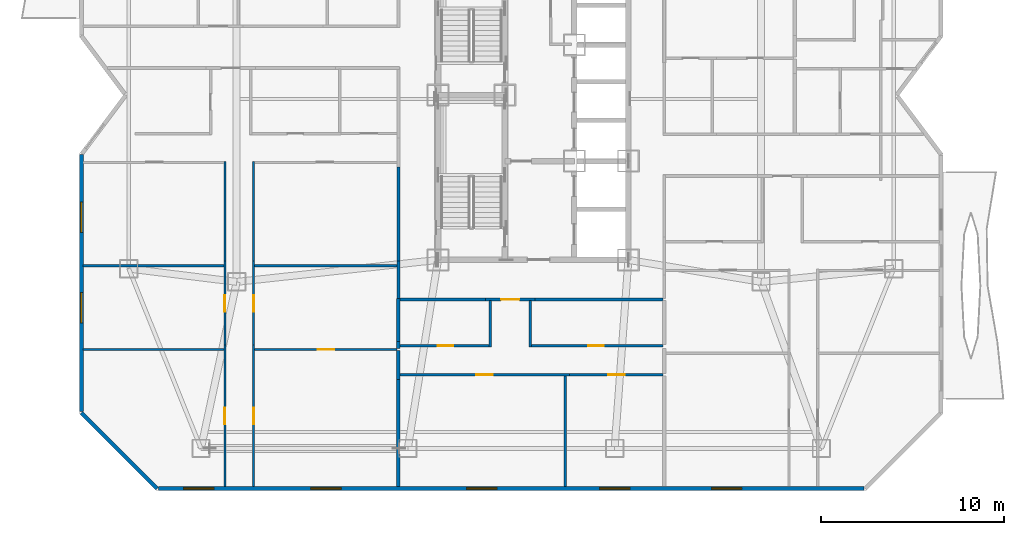
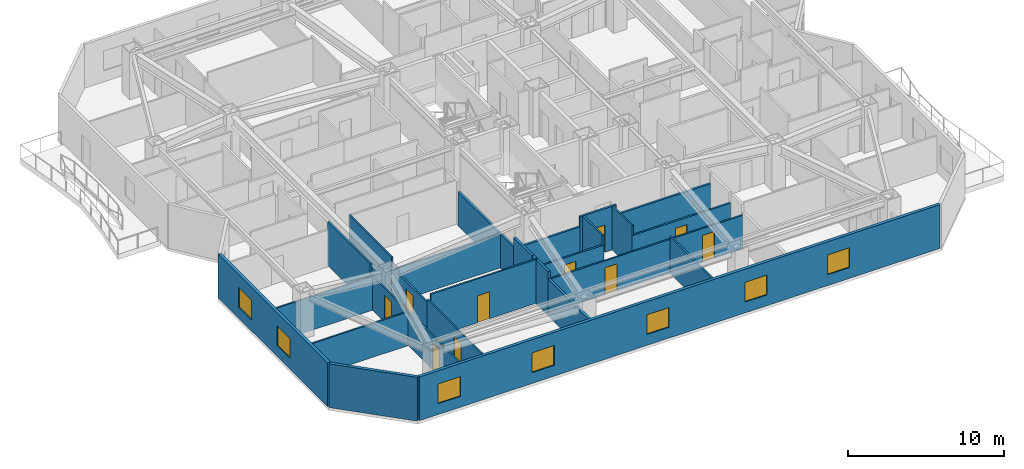
# One storey, part 7 of 14: 29 walls, 10 doors, 7 windows, 17 openings.
"""IFC4 building model written with IfcOpenShell, lengths in metres."""

from ifc_helpers import new_model, si_unit, direction, frame, frame_2d, origin, place, context, subcontext, project, spatial, rectangle, extrude, material, layer, layer_set, type_object, element, fill, save


model = new_model("IFC4")

# Units and contexts
model_context = context("Model", 3, precision=1e-05, world=origin(), true_north=direction((0.0, 1.0)))
body_context = subcontext(model_context, "Body", "Model", "MODEL_VIEW")
ifc_project = project(units=[si_unit("LENGTHUNIT", "METRE"), si_unit("AREAUNIT", "SQUARE_METRE"), si_unit("VOLUMEUNIT", "CUBIC_METRE"), si_unit("PLANEANGLEUNIT", "RADIAN"), si_unit("MASSUNIT", "GRAM", prefix="KILO")], contexts=[model_context])

# Site, building, storey
site_placement = place(None, origin())
site = spatial("IfcSite", under=ifc_project, at=site_placement, CompositionType="ELEMENT")
building_placement = place(site_placement, origin())
building = spatial("IfcBuilding", under=site, at=building_placement, Name="Khamvora Tower", CompositionType="ELEMENT")
storey_placement = place(building_placement, frame((0.0, 0.0, 123.800048828125)))
storey = spatial("IfcBuildingStorey", under=building, at=storey_placement, Name="L31", CompositionType="ELEMENT", Elevation=123.800048828125)

# Walls
ifc_material_1 = material(Name="Fire-Rated Drywall and Steel Stud", Category="steel")
ifc_layer_1 = layer(ifc_material_1, 0.14990234375)
ifc_layer_set_1 = layer_set([ifc_layer_1], Name="Fire-Rated Drywall and Steel Stud")
wall_type_1 = type_object("IfcWallType", Name="WAL-CORR-150", PredefinedType="STANDARD", material=ifc_layer_set_1)
wall_1_placement = place(storey_placement, frame((26.8349609375, 16.89990234375, 0.0), z_axis=(0.0, 0.0, 1.0), x_axis=(0.0, 1.0, 0.0)))
element("IfcWall", 1, at=wall_1_placement, inside=storey, type_object=wall_type_1, Name="L31 interior partition wall 011", PredefinedType="STANDARD", context=body_context, shape_type="SweptSolid", body=[
    extrude(rectangle(XDim=2.028076171875, YDim=0.14990234375, at=frame_2d((1.01416015625, 0.0))), origin(), (0.0, 0.0, 1.0), 2.64697265625),
])
wall_2_placement = place(storey_placement, frame((26.8349609375, 18.927978515625, 0.0), z_axis=(0.0, 0.0, 1.0), x_axis=(0.0, 1.0, 0.0)))
element("IfcWall", 2, at=wall_2_placement, inside=storey, type_object=wall_type_1, Name="L31 interior partition wall 012", PredefinedType="STANDARD", context=body_context, shape_type="SweptSolid", body=[
    extrude(rectangle(XDim=5.14794921875, YDim=0.14990234375, at=frame_2d((2.573974609375, 0.0))), origin(), (0.0, 0.0, 1.0), 2.64697265625),
])

# Wall, opening, door
wall_3_placement = place(storey_placement, frame((34.299072265625, 16.8349609375, 0.0), z_axis=(0.0, 0.0, 1.0), x_axis=(-1.0, 0.0, 0.0)))
wall_3 = element("IfcWall", 3, at=wall_3_placement, inside=storey, type_object=wall_type_1, Name="L31 interior partition wall 020", PredefinedType="STANDARD", context=body_context, shape_type="SweptSolid", body=[
    extrude(rectangle(XDim=2.697998046875, YDim=0.14990234375, at=frame_2d((1.34912109375, 0.0))), origin(), (0.0, 0.0, 1.0), 3.429931640625),
])
opening_1_placement = place(wall_3_placement, frame((0.84912109375, 0.0, 0.0)))
opening_1 = element("IfcOpeningElement", 4, at=opening_1_placement, cuts=wall_3, Name="Opening D-U1", PredefinedType="OPENING", context=body_context, shape_type="SweptSolid", body=[
    extrude(rectangle(XDim=1.0, YDim=2.14990234375, at=frame_2d((0.5, 1.074951171875))), frame((0.0, 0.0849609375, 0.0), z_axis=(0.0, -1.0, 0.0), x_axis=(1.0, 0.0, 0.0)), (0.0, 0.0, 1.0), 0.169921875),
])
ifc_material_2 = material(Name="Powder-Coated Steel and Hardwood Leaf", Category="steel")
door_type_1 = type_object("IfcDoorType", Name="DOR-UNIT-1000", OperationType="NOTDEFINED", PredefinedType="DOOR", material=ifc_material_2)
door_1_placement = place(opening_1_placement, origin())
door_1 = element("IfcDoor", 5, at=door_1_placement, inside=storey, type_object=door_type_1, Name="L31 interior door COR-31SAH", OperationType="SINGLE_SWING_LEFT", OverallHeight=2.14990234375, OverallWidth=1.0, PredefinedType="DOOR", context=body_context, shape_type="SweptSolid", body=[
    extrude(rectangle(XDim=1.0, YDim=2.14990234375, at=frame_2d((0.5, 1.074951171875))), frame((0.0, 0.02490234375, 0.0), z_axis=(0.0, -1.0, 0.0), x_axis=(1.0, 0.0, 0.0)), (0.0, 0.0, 1.0), 0.050048828125),
])
fill(opening_1, door_1)

# Walls
wall_4_placement = place(storey_placement, frame((31.60107421875, 16.8349609375, 0.0), z_axis=(0.0, 0.0, 1.0), x_axis=(-1.0, 0.0, 0.0)))
element("IfcWall", 6, at=wall_4_placement, inside=storey, type_object=wall_type_1, Name="L31 interior partition wall 021", PredefinedType="STANDARD", context=body_context, shape_type="SweptSolid", body=[
    extrude(rectangle(XDim=4.701171875, YDim=0.14990234375, at=frame_2d((2.3505859375, 0.0))), origin(), (0.0, 0.0, 1.0), 2.64697265625),
])
wall_5_placement = place(storey_placement, frame((41.300048828125, 16.8349609375, 0.0), z_axis=(0.0, 0.0, 1.0), x_axis=(-1.0, 0.0, 0.0)))
element("IfcWall", 7, at=wall_5_placement, inside=storey, type_object=wall_type_1, Name="L31 interior partition wall 022", PredefinedType="STANDARD", context=body_context, shape_type="SweptSolid", body=[
    extrude(rectangle(XDim=7.0009765625, YDim=0.14990234375, at=frame_2d((3.50048828125, 0.0))), origin(), (0.0, 0.0, 1.0), 2.64697265625),
])
ifc_material_3 = material(Name="Acoustic Double-Stud Fire Wall", Category="gypsum")
ifc_layer_2 = layer(ifc_material_3, 0.179931640625)
ifc_layer_set_2 = layer_set([ifc_layer_2], Name="Acoustic Double-Stud Fire Wall")
wall_type_2 = type_object("IfcWallType", Name="WAL-CORR-180", PredefinedType="STANDARD", material=ifc_layer_set_2)
wall_6_placement = place(storey_placement, frame((26.8349609375, 14.0390625, 0.0), z_axis=(0.0, 0.0, 1.0), x_axis=(0.0, -1.0, 0.0)))
element("IfcWall", 8, at=wall_6_placement, inside=storey, type_object=wall_type_2, Name="L31 interior partition wall 061", PredefinedType="STANDARD", context=body_context, shape_type="SweptSolid", body=[
    extrude(rectangle(XDim=1.56298828125, YDim=0.179931640625, at=frame_2d((0.781494140625, 0.0))), origin(), (0.0, 0.0, 1.0), 3.429931640625),
])
wall_7_placement = place(storey_placement, frame((26.8349609375, 12.47607421875, 0.0), z_axis=(0.0, 0.0, 1.0), x_axis=(0.0, -1.0, 0.0)))
element("IfcWall", 9, at=wall_7_placement, inside=storey, type_object=wall_type_2, Name="L31 interior partition wall 062", PredefinedType="STANDARD", context=body_context, shape_type="SweptSolid", body=[
    extrude(rectangle(XDim=5.864013671875, YDim=0.179931640625, at=frame_2d((2.93212890625, 0.0))), origin(), (0.0, 0.0, 1.0), 2.8759765625),
])
wall_8_placement = place(storey_placement, frame((26.8349609375, 14.553955078125, 0.0), z_axis=(0.0, 0.0, 1.0), x_axis=(0.0, -1.0, 0.0)))
element("IfcWall", 10, at=wall_8_placement, inside=storey, type_object=wall_type_2, Name="L31 interior partition wall 064", PredefinedType="STANDARD", context=body_context, shape_type="SweptSolid", body=[
    extrude(rectangle(XDim=0.385009765625, YDim=0.179931640625, at=frame_2d((0.1923828125, 0.0))), origin(), (0.0, 0.0, 1.0), 3.429931640625),
])
wall_9_placement = place(storey_placement, frame((26.8349609375, 16.89990234375, 0.0), z_axis=(0.0, 0.0, 1.0), x_axis=(0.0, -1.0, 0.0)))
element("IfcWall", 11, at=wall_9_placement, inside=storey, type_object=wall_type_2, Name="L31 interior partition wall 065", PredefinedType="STANDARD", context=body_context, shape_type="SweptSolid", body=[
    extrude(rectangle(XDim=2.345947265625, YDim=0.179931640625, at=frame_2d((1.1728515625, 0.0))), origin(), (0.0, 0.0, 1.0), 3.429931640625),
])
ifc_material_4 = material(Name="Precast concrete C40/50", Category="concrete")
ifc_layer_3 = layer(ifc_material_4, 0.219970703125)
ifc_layer_set_3 = layer_set([ifc_layer_3], Name="Precast concrete C40/50")
wall_type_3 = type_object("IfcWallType", Name="WAL-EXT-220", PredefinedType="STANDARD", material=ifc_layer_set_3)
wall_10_placement = place(storey_placement, frame((13.64599609375, 6.510009765625, 0.0), z_axis=(0.0, 0.0, 1.0), x_axis=(-0.707106781187, 0.707106781187, 0.0)))
element("IfcWall", 12, at=wall_10_placement, inside=storey, type_object=wall_type_3, Name="L31 exterior facade wall 01.1", PredefinedType="STANDARD", context=body_context, shape_type="SweptSolid", body=[
    extrude(rectangle(XDim=5.84912109375, YDim=0.219970703125, at=frame_2d((2.924560546875, 0.0))), origin(), (0.0, 0.0, 1.0), 3.429931640625),
])

# Wall, openings, windows
wall_11_placement = place(storey_placement, frame((9.510009765625, 10.717041015625, 0.0), z_axis=(0.0, 0.0, 1.0), x_axis=(0.0, 1.0, 0.0)))
wall_11 = element("IfcWall", 13, at=wall_11_placement, inside=storey, type_object=wall_type_3, Name="L31 exterior facade wall 02.1", PredefinedType="STANDARD", context=body_context, shape_type="SweptSolid", body=[
    extrude(rectangle(XDim=14.0458984375, YDim=0.219970703125, at=frame_2d((7.02294921875, 0.0))), origin(), (0.0, 0.0, 1.0), 3.429931640625),
])
opening_2_placement = place(wall_11_placement, frame((4.84912109375, 0.0, 0.85009765625)))
opening_2 = element("IfcOpeningElement", 14, at=opening_2_placement, cuts=wall_11, Name="Opening WN-06", PredefinedType="OPENING", context=body_context, shape_type="SweptSolid", body=[
    extrude(rectangle(XDim=1.64990234375, YDim=1.550048828125, at=frame_2d((0.824951171875, 0.77490234375))), frame((0.0, 0.119873046875, 0.0), z_axis=(0.0, -1.0, 0.0), x_axis=(1.0, 0.0, 0.0)), (0.0, 0.0, 1.0), 0.239990234375),
])
opening_3_placement = place(wall_11_placement, frame((9.785888671875, 0.0, 0.85009765625)))
opening_3 = element("IfcOpeningElement", 15, at=opening_3_placement, cuts=wall_11, Name="Opening WN-06", PredefinedType="OPENING", context=body_context, shape_type="SweptSolid", body=[
    extrude(rectangle(XDim=1.64990234375, YDim=1.550048828125, at=frame_2d((0.824951171875, 0.77490234375))), frame((0.0, 0.119873046875, 0.0), z_axis=(0.0, -1.0, 0.0), x_axis=(1.0, 0.0, 0.0)), (0.0, 0.0, 1.0), 0.239990234375),
])
ifc_material_5 = material(Name="Low-E Laminated Double Glazing", Category="glass")
window_type = type_object("IfcWindowType", Name="WIN-VIS-1650x1550", PartitioningType="SINGLE_PANEL", PredefinedType="WINDOW", material=ifc_material_5)
window_1_placement = place(opening_2_placement, origin())
window_1 = element("IfcWindow", 16, at=window_1_placement, inside=storey, type_object=window_type, Name="L31 vision window 02.1.01", OverallHeight=1.550048828125, OverallWidth=1.64990234375, PartitioningType="SINGLE_PANEL", PredefinedType="WINDOW", context=body_context, shape_type="SweptSolid", body=[
    extrude(rectangle(XDim=1.64990234375, YDim=1.550048828125, at=frame_2d((0.824951171875, 0.77490234375))), frame((0.0, 0.030029296875, 0.0), z_axis=(0.0, -1.0, 0.0), x_axis=(1.0, 0.0, 0.0)), (0.0, 0.0, 1.0), 0.06005859375),
])
fill(opening_2, window_1)
window_2_placement = place(opening_3_placement, origin())
window_2 = element("IfcWindow", 17, at=window_2_placement, inside=storey, type_object=window_type, Name="L31 vision window 02.1.02", OverallHeight=1.550048828125, OverallWidth=1.64990234375, PartitioningType="SINGLE_PANEL", PredefinedType="WINDOW", context=body_context, shape_type="SweptSolid", body=[
    extrude(rectangle(XDim=1.64990234375, YDim=1.550048828125, at=frame_2d((0.824951171875, 0.77490234375))), frame((0.0, 0.030029296875, 0.0), z_axis=(0.0, -1.0, 0.0), x_axis=(1.0, 0.0, 0.0)), (0.0, 0.0, 1.0), 0.06005859375),
])
fill(opening_3, window_2)

wall_12_placement = place(storey_placement, frame((52.282958984375, 6.510009765625, 0.0), z_axis=(0.0, 0.0, 1.0), x_axis=(-1.0, 0.0, 0.0)))
wall_12 = element("IfcWall", 18, at=wall_12_placement, inside=storey, type_object=wall_type_3, Name="L31 exterior facade wall 14.1", PredefinedType="STANDARD", context=body_context, shape_type="SweptSolid", body=[
    extrude(rectangle(XDim=38.56787109375, YDim=0.219970703125, at=frame_2d((19.283935546875, 0.0))), origin(), (0.0, 0.0, 1.0), 3.429931640625),
])
opening_4_placement = place(wall_12_placement, frame((35.530029296875, 0.0, 0.85009765625)))
opening_4 = element("IfcOpeningElement", 19, at=opening_4_placement, cuts=wall_12, Name="Opening WN-06", PredefinedType="OPENING", context=body_context, shape_type="SweptSolid", body=[
    extrude(rectangle(XDim=1.64990234375, YDim=1.550048828125, at=frame_2d((0.824951171875, 0.77490234375))), frame((0.0, 0.119873046875, 0.0), z_axis=(0.0, -1.0, 0.0), x_axis=(1.0, 0.0, 0.0)), (0.0, 0.0, 1.0), 0.239990234375),
])
opening_5_placement = place(wall_12_placement, frame((28.577880859375, 0.0, 0.85009765625)))
opening_5 = element("IfcOpeningElement", 20, at=opening_5_placement, cuts=wall_12, Name="Opening WN-06", PredefinedType="OPENING", context=body_context, shape_type="SweptSolid", body=[
    extrude(rectangle(XDim=1.64990234375, YDim=1.550048828125, at=frame_2d((0.824951171875, 0.77490234375))), frame((0.0, 0.119873046875, 0.0), z_axis=(0.0, -1.0, 0.0), x_axis=(1.0, 0.0, 0.0)), (0.0, 0.0, 1.0), 0.239990234375),
])
opening_6_placement = place(wall_12_placement, frame((20.06689453125, 0.0, 0.85009765625)))
opening_6 = element("IfcOpeningElement", 21, at=opening_6_placement, cuts=wall_12, Name="Opening WN-06", PredefinedType="OPENING", context=body_context, shape_type="SweptSolid", body=[
    extrude(rectangle(XDim=1.64990234375, YDim=1.550048828125, at=frame_2d((0.824951171875, 0.77490234375))), frame((0.0, 0.119873046875, 0.0), z_axis=(0.0, -1.0, 0.0), x_axis=(1.0, 0.0, 0.0)), (0.0, 0.0, 1.0), 0.239990234375),
])
opening_7_placement = place(wall_12_placement, frame((12.802001953125, 0.0, 0.85009765625)))
opening_7 = element("IfcOpeningElement", 22, at=opening_7_placement, cuts=wall_12, Name="Opening WN-06", PredefinedType="OPENING", context=body_context, shape_type="SweptSolid", body=[
    extrude(rectangle(XDim=1.64990234375, YDim=1.550048828125, at=frame_2d((0.824951171875, 0.77490234375))), frame((0.0, 0.119873046875, 0.0), z_axis=(0.0, -1.0, 0.0), x_axis=(1.0, 0.0, 0.0)), (0.0, 0.0, 1.0), 0.239990234375),
])
opening_8_placement = place(wall_12_placement, frame((6.68798828125, 0.0, 0.85009765625)))
opening_8 = element("IfcOpeningElement", 23, at=opening_8_placement, cuts=wall_12, Name="Opening WN-06", PredefinedType="OPENING", context=body_context, shape_type="SweptSolid", body=[
    extrude(rectangle(XDim=1.64990234375, YDim=1.550048828125, at=frame_2d((0.824951171875, 0.77490234375))), frame((0.0, 0.119873046875, 0.0), z_axis=(0.0, -1.0, 0.0), x_axis=(1.0, 0.0, 0.0)), (0.0, 0.0, 1.0), 0.239990234375),
])
window_3_placement = place(opening_4_placement, origin())
window_3 = element("IfcWindow", 24, at=window_3_placement, inside=storey, type_object=window_type, Name="L31 vision window 14.1.01", OverallHeight=1.550048828125, OverallWidth=1.64990234375, PartitioningType="SINGLE_PANEL", PredefinedType="WINDOW", context=body_context, shape_type="SweptSolid", body=[
    extrude(rectangle(XDim=1.64990234375, YDim=1.550048828125, at=frame_2d((0.824951171875, 0.77490234375))), frame((0.0, 0.030029296875, 0.0), z_axis=(0.0, -1.0, 0.0), x_axis=(1.0, 0.0, 0.0)), (0.0, 0.0, 1.0), 0.06005859375),
])
fill(opening_4, window_3)
window_4_placement = place(opening_5_placement, origin())
window_4 = element("IfcWindow", 25, at=window_4_placement, inside=storey, type_object=window_type, Name="L31 vision window 14.1.02", OverallHeight=1.550048828125, OverallWidth=1.64990234375, PartitioningType="SINGLE_PANEL", PredefinedType="WINDOW", context=body_context, shape_type="SweptSolid", body=[
    extrude(rectangle(XDim=1.64990234375, YDim=1.550048828125, at=frame_2d((0.824951171875, 0.77490234375))), frame((0.0, 0.030029296875, 0.0), z_axis=(0.0, -1.0, 0.0), x_axis=(1.0, 0.0, 0.0)), (0.0, 0.0, 1.0), 0.06005859375),
])
fill(opening_5, window_4)
window_5_placement = place(opening_6_placement, origin())
window_5 = element("IfcWindow", 26, at=window_5_placement, inside=storey, type_object=window_type, Name="L31 vision window 14.1.03", OverallHeight=1.550048828125, OverallWidth=1.64990234375, PartitioningType="SINGLE_PANEL", PredefinedType="WINDOW", context=body_context, shape_type="SweptSolid", body=[
    extrude(rectangle(XDim=1.64990234375, YDim=1.550048828125, at=frame_2d((0.824951171875, 0.77490234375))), frame((0.0, 0.030029296875, 0.0), z_axis=(0.0, -1.0, 0.0), x_axis=(1.0, 0.0, 0.0)), (0.0, 0.0, 1.0), 0.06005859375),
])
fill(opening_6, window_5)
window_6_placement = place(opening_7_placement, origin())
window_6 = element("IfcWindow", 27, at=window_6_placement, inside=storey, type_object=window_type, Name="L31 vision window 14.1.04", OverallHeight=1.550048828125, OverallWidth=1.64990234375, PartitioningType="SINGLE_PANEL", PredefinedType="WINDOW", context=body_context, shape_type="SweptSolid", body=[
    extrude(rectangle(XDim=1.64990234375, YDim=1.550048828125, at=frame_2d((0.824951171875, 0.77490234375))), frame((0.0, 0.030029296875, 0.0), z_axis=(0.0, -1.0, 0.0), x_axis=(1.0, 0.0, 0.0)), (0.0, 0.0, 1.0), 0.06005859375),
])
fill(opening_7, window_6)
window_7_placement = place(opening_8_placement, origin())
window_7 = element("IfcWindow", 28, at=window_7_placement, inside=storey, type_object=window_type, Name="L31 vision window 14.1.05", OverallHeight=1.550048828125, OverallWidth=1.64990234375, PartitioningType="SINGLE_PANEL", PredefinedType="WINDOW", context=body_context, shape_type="SweptSolid", body=[
    extrude(rectangle(XDim=1.64990234375, YDim=1.550048828125, at=frame_2d((0.824951171875, 0.77490234375))), frame((0.0, 0.030029296875, 0.0), z_axis=(0.0, -1.0, 0.0), x_axis=(1.0, 0.0, 0.0)), (0.0, 0.0, 1.0), 0.06005859375),
])
fill(opening_8, window_7)

# Wall, opening, door
ifc_material_6 = material(Name="Gypsum Plasterboard Partition", Category="gypsum")
ifc_layer_4 = layer(ifc_material_6, 0.1201171875)
ifc_layer_set_4 = layer_set([ifc_layer_4], Name="Gypsum Plasterboard Partition")
wall_type_4 = type_object("IfcWallType", Name="WAL-PART-120", PredefinedType="PARTITIONING", material=ifc_layer_set_4)
wall_13_placement = place(storey_placement, frame((17.35498046875, 6.612060546875, 0.0), z_axis=(0.0, 0.0, 1.0), x_axis=(0.0, 1.0, 0.0)))
wall_13 = element("IfcWall", 29, at=wall_13_placement, inside=storey, type_object=wall_type_4, Name="L31 interior partition wall 050", PredefinedType="PARTITIONING", context=body_context, shape_type="SweptSolid", body=[
    extrude(rectangle(XDim=7.740966796875, YDim=0.1201171875, at=frame_2d((3.87060546875, 0.0))), origin(), (0.0, 0.0, 1.0), 2.64697265625),
])
opening_9_placement = place(wall_13_placement, frame((3.39892578125, 0.0, 0.0)))
opening_9 = element("IfcOpeningElement", 30, at=opening_9_placement, cuts=wall_13, Name="Opening D-RM1", PredefinedType="OPENING", context=body_context, shape_type="SweptSolid", body=[
    extrude(rectangle(XDim=0.89990234375, YDim=2.10009765625, at=frame_2d((0.449951171875, 1.050048828125))), frame((0.0, 0.070068359375, 0.0), z_axis=(0.0, -1.0, 0.0), x_axis=(1.0, 0.0, 0.0)), (0.0, 0.0, 1.0), 0.14013671875),
])
door_type_2 = type_object("IfcDoorType", Name="DOR-ROOM-900", OperationType="NOTDEFINED", PredefinedType="DOOR", material=ifc_material_2)
door_2_placement = place(opening_9_placement, origin())
door_2 = element("IfcDoor", 31, at=door_2_placement, inside=storey, type_object=door_type_2, Name="L31 interior door 31WAH-31WAR1", OperationType="SINGLE_SWING_LEFT", OverallHeight=2.10009765625, OverallWidth=0.89990234375, PredefinedType="DOOR", context=body_context, shape_type="SweptSolid", body=[
    extrude(rectangle(XDim=0.89990234375, YDim=2.10009765625, at=frame_2d((0.449951171875, 1.050048828125))), frame((0.0, 0.02490234375, 0.0), z_axis=(0.0, -1.0, 0.0), x_axis=(1.0, 0.0, 0.0)), (0.0, 0.0, 1.0), 0.050048828125),
])
fill(opening_9, door_2)

wall_14_placement = place(storey_placement, frame((17.35498046875, 14.35302734375, 0.0), z_axis=(0.0, 0.0, 1.0), x_axis=(0.0, 1.0, 0.0)))
wall_14 = element("IfcWall", 32, at=wall_14_placement, inside=storey, type_object=wall_type_4, Name="L31 interior partition wall 051", PredefinedType="PARTITIONING", context=body_context, shape_type="SweptSolid", body=[
    extrude(rectangle(XDim=4.574951171875, YDim=0.1201171875, at=frame_2d((2.28759765625, 0.0))), origin(), (0.0, 0.0, 1.0), 2.64697265625),
])
opening_10_placement = place(wall_14_placement, frame((1.81689453125, 0.0, 0.0)))
opening_10 = element("IfcOpeningElement", 33, at=opening_10_placement, cuts=wall_14, Name="Opening D-RM1", PredefinedType="OPENING", context=body_context, shape_type="SweptSolid", body=[
    extrude(rectangle(XDim=0.89990234375, YDim=2.10009765625, at=frame_2d((0.449951171875, 1.050048828125))), frame((0.0, 0.070068359375, 0.0), z_axis=(0.0, -1.0, 0.0), x_axis=(1.0, 0.0, 0.0)), (0.0, 0.0, 1.0), 0.14013671875),
])
door_3_placement = place(opening_10_placement, origin())
door_3 = element("IfcDoor", 34, at=door_3_placement, inside=storey, type_object=door_type_2, Name="L31 interior door 31WAH-31WAR2", OperationType="SINGLE_SWING_LEFT", OverallHeight=2.10009765625, OverallWidth=0.89990234375, PredefinedType="DOOR", context=body_context, shape_type="SweptSolid", body=[
    extrude(rectangle(XDim=0.89990234375, YDim=2.10009765625, at=frame_2d((0.449951171875, 1.050048828125))), frame((0.0, 0.02490234375, 0.0), z_axis=(0.0, -1.0, 0.0), x_axis=(1.0, 0.0, 0.0)), (0.0, 0.0, 1.0), 0.050048828125),
])
fill(opening_10, door_3)

# Wall
wall_15_placement = place(storey_placement, frame((17.35498046875, 18.927978515625, 0.0), z_axis=(0.0, 0.0, 1.0), x_axis=(0.0, 1.0, 0.0)))
element("IfcWall", 35, at=wall_15_placement, inside=storey, type_object=wall_type_4, Name="L31 interior partition wall 052", PredefinedType="PARTITIONING", context=body_context, shape_type="SweptSolid", body=[
    extrude(rectangle(XDim=5.4619140625, YDim=0.1201171875, at=frame_2d((2.73095703125, 0.0))), origin(), (0.0, 0.0, 1.0), 3.429931640625),
])

# Wall, opening, door
wall_16_placement = place(storey_placement, frame((18.925048828125, 14.35302734375, 0.0), z_axis=(0.0, 0.0, 1.0), x_axis=(0.0, -1.0, 0.0)))
wall_16 = element("IfcWall", 36, at=wall_16_placement, inside=storey, type_object=wall_type_4, Name="L31 interior partition wall 054", PredefinedType="PARTITIONING", context=body_context, shape_type="SweptSolid", body=[
    extrude(rectangle(XDim=7.740966796875, YDim=0.1201171875, at=frame_2d((3.87060546875, 0.0))), origin(), (0.0, 0.0, 1.0), 2.8759765625),
])
opening_11_placement = place(wall_16_placement, frame((3.44091796875, 0.0, 0.0)))
opening_11 = element("IfcOpeningElement", 37, at=opening_11_placement, cuts=wall_16, Name="Opening D-RM1", PredefinedType="OPENING", context=body_context, shape_type="SweptSolid", body=[
    extrude(rectangle(XDim=0.89990234375, YDim=2.10009765625, at=frame_2d((0.449951171875, 1.050048828125))), frame((0.0, 0.070068359375, 0.0), z_axis=(0.0, -1.0, 0.0), x_axis=(1.0, 0.0, 0.0)), (0.0, 0.0, 1.0), 0.14013671875),
])
door_4_placement = place(opening_11_placement, origin())
door_4 = element("IfcDoor", 38, at=door_4_placement, inside=storey, type_object=door_type_2, Name="L31 interior door 31WAH-31WAR4", OperationType="SINGLE_SWING_RIGHT", OverallHeight=2.10009765625, OverallWidth=0.89990234375, PredefinedType="DOOR", context=body_context, shape_type="SweptSolid", body=[
    extrude(rectangle(XDim=0.89990234375, YDim=2.10009765625, at=frame_2d((0.449951171875, 1.050048828125))), frame((0.0, 0.02490234375, 0.0), z_axis=(0.0, -1.0, 0.0), x_axis=(1.0, 0.0, 0.0)), (0.0, 0.0, 1.0), 0.050048828125),
])
fill(opening_11, door_4)

wall_17_placement = place(storey_placement, frame((18.925048828125, 18.927978515625, 0.0), z_axis=(0.0, 0.0, 1.0), x_axis=(0.0, -1.0, 0.0)))
wall_17 = element("IfcWall", 39, at=wall_17_placement, inside=storey, type_object=wall_type_4, Name="L31 interior partition wall 055", PredefinedType="PARTITIONING", context=body_context, shape_type="SweptSolid", body=[
    extrude(rectangle(XDim=4.574951171875, YDim=0.1201171875, at=frame_2d((2.28759765625, 0.0))), origin(), (0.0, 0.0, 1.0), 2.64697265625),
])
opening_12_placement = place(wall_17_placement, frame((1.85888671875, 0.0, 0.0)))
opening_12 = element("IfcOpeningElement", 40, at=opening_12_placement, cuts=wall_17, Name="Opening D-RM1", PredefinedType="OPENING", context=body_context, shape_type="SweptSolid", body=[
    extrude(rectangle(XDim=0.89990234375, YDim=2.10009765625, at=frame_2d((0.449951171875, 1.050048828125))), frame((0.0, 0.070068359375, 0.0), z_axis=(0.0, -1.0, 0.0), x_axis=(1.0, 0.0, 0.0)), (0.0, 0.0, 1.0), 0.14013671875),
])
door_5_placement = place(opening_12_placement, origin())
door_5 = element("IfcDoor", 41, at=door_5_placement, inside=storey, type_object=door_type_2, Name="L31 interior door 31WAH-31WAR5", OperationType="SINGLE_SWING_RIGHT", OverallHeight=2.10009765625, OverallWidth=0.89990234375, PredefinedType="DOOR", context=body_context, shape_type="SweptSolid", body=[
    extrude(rectangle(XDim=0.89990234375, YDim=2.10009765625, at=frame_2d((0.449951171875, 1.050048828125))), frame((0.0, 0.02490234375, 0.0), z_axis=(0.0, -1.0, 0.0), x_axis=(1.0, 0.0, 0.0)), (0.0, 0.0, 1.0), 0.050048828125),
])
fill(opening_12, door_5)

# Walls
wall_18_placement = place(storey_placement, frame((18.925048828125, 24.389892578125, 0.0), z_axis=(0.0, 0.0, 1.0), x_axis=(0.0, -1.0, 0.0)))
element("IfcWall", 42, at=wall_18_placement, inside=storey, type_object=wall_type_4, Name="L31 interior partition wall 057", PredefinedType="PARTITIONING", context=body_context, shape_type="SweptSolid", body=[
    extrude(rectangle(XDim=5.4619140625, YDim=0.1201171875, at=frame_2d((2.73095703125, 0.0))), origin(), (0.0, 0.0, 1.0), 3.429931640625),
])
for number, where, z_axis, x_axis, name in (
    (43, (9.612060546875, 14.10400390625, 0.0), (0.0, 0.0, 1.0), (1.0, 0.0, 0.0), "L31 interior partition wall 058"),
    (44, (9.612060546875, 18.678955078125, 0.0), (0.0, 0.0, 1.0), (1.0, 0.0, 0.0), "L31 interior partition wall 059"),
):
    element("IfcWall", number, at=place(storey_placement, frame(where, z_axis=z_axis, x_axis=x_axis)), inside=storey, type_object=wall_type_4, Name=name, PredefinedType="PARTITIONING", context=body_context, shape_type="SweptSolid", body=[
        extrude(rectangle(XDim=7.68896484375, YDim=0.1201171875, at=frame_2d((3.844482421875, 0.0))), origin(), (0.0, 0.0, 1.0), 2.64697265625),
    ])

# Wall, opening, door
wall_19_placement = place(storey_placement, frame((18.97900390625, 14.10400390625, 0.0), z_axis=(0.0, 0.0, 1.0), x_axis=(1.0, 0.0, 0.0)))
wall_19 = element("IfcWall", 45, at=wall_19_placement, inside=storey, type_object=wall_type_4, Name="L31 interior partition wall 060", PredefinedType="PARTITIONING", context=body_context, shape_type="SweptSolid", body=[
    extrude(rectangle(XDim=7.791015625, YDim=0.1201171875, at=frame_2d((3.8955078125, 0.0))), origin(), (0.0, 0.0, 1.0), 3.429931640625),
])
opening_13_placement = place(wall_19_placement, frame((3.446044921875, 0.0, 0.0)))
opening_13 = element("IfcOpeningElement", 46, at=opening_13_placement, cuts=wall_19, Name="Opening D-RM1", PredefinedType="OPENING", context=body_context, shape_type="SweptSolid", body=[
    extrude(rectangle(XDim=0.89990234375, YDim=2.10009765625, at=frame_2d((0.449951171875, 1.050048828125))), frame((0.0, 0.070068359375, 0.0), z_axis=(0.0, -1.0, 0.0), x_axis=(1.0, 0.0, 0.0)), (0.0, 0.0, 1.0), 0.14013671875),
])
door_6_placement = place(opening_13_placement, origin())
door_6 = element("IfcDoor", 47, at=door_6_placement, inside=storey, type_object=door_type_2, Name="L31 interior door 31WAR4-31WAR5", OperationType="SINGLE_SWING_LEFT", OverallHeight=2.10009765625, OverallWidth=0.89990234375, PredefinedType="DOOR", context=body_context, shape_type="SweptSolid", body=[
    extrude(rectangle(XDim=0.89990234375, YDim=2.10009765625, at=frame_2d((0.449951171875, 1.050048828125))), frame((0.0, 0.02490234375, 0.0), z_axis=(0.0, -1.0, 0.0), x_axis=(1.0, 0.0, 0.0)), (0.0, 0.0, 1.0), 0.050048828125),
])
fill(opening_13, door_6)

# Wall
wall_20_placement = place(storey_placement, frame((18.97900390625, 18.678955078125, 0.0), z_axis=(0.0, 0.0, 1.0), x_axis=(1.0, 0.0, 0.0)))
element("IfcWall", 48, at=wall_20_placement, inside=storey, type_object=wall_type_4, Name="L31 interior partition wall 063", PredefinedType="PARTITIONING", context=body_context, shape_type="SweptSolid", body=[
    extrude(rectangle(XDim=7.791015625, YDim=0.1201171875, at=frame_2d((3.8955078125, 0.0))), origin(), (0.0, 0.0, 1.0), 2.64697265625),
])

# Wall, opening, door
wall_21_placement = place(storey_placement, frame((36.196044921875, 12.72509765625, 0.0), z_axis=(0.0, 0.0, 1.0), x_axis=(-1.0, 0.0, 0.0)))
wall_21 = element("IfcWall", 49, at=wall_21_placement, inside=storey, type_object=wall_type_4, Name="L31 interior partition wall 084", PredefinedType="PARTITIONING", context=body_context, shape_type="SweptSolid", body=[
    extrude(rectangle(XDim=9.279052734375, YDim=0.1201171875, at=frame_2d((4.6396484375, 0.0))), origin(), (0.0, 0.0, 1.0), 2.64697265625),
])
opening_14_placement = place(wall_21_placement, frame((4.2099609375, 0.0, 0.0)))
opening_14 = element("IfcOpeningElement", 50, at=opening_14_placement, cuts=wall_21, Name="Opening D-RM1", PredefinedType="OPENING", context=body_context, shape_type="SweptSolid", body=[
    extrude(rectangle(XDim=0.89990234375, YDim=2.10009765625, at=frame_2d((0.449951171875, 1.050048828125))), frame((0.0, 0.070068359375, 0.0), z_axis=(0.0, -1.0, 0.0), x_axis=(1.0, 0.0, 0.0)), (0.0, 0.0, 1.0), 0.14013671875),
])
door_7_placement = place(opening_14_placement, origin())
door_7 = element("IfcDoor", 51, at=door_7_placement, inside=storey, type_object=door_type_2, Name="L31 interior door 31SAH-31SAR1", OperationType="SINGLE_SWING_LEFT", OverallHeight=2.10009765625, OverallWidth=0.89990234375, PredefinedType="DOOR", context=body_context, shape_type="SweptSolid", body=[
    extrude(rectangle(XDim=0.89990234375, YDim=2.10009765625, at=frame_2d((0.449951171875, 1.050048828125))), frame((0.0, 0.02490234375, 0.0), z_axis=(0.0, -1.0, 0.0), x_axis=(1.0, 0.0, 0.0)), (0.0, 0.0, 1.0), 0.050048828125),
])
fill(opening_14, door_7)

wall_22_placement = place(storey_placement, frame((41.300048828125, 12.72509765625, 0.0), z_axis=(0.0, 0.0, 1.0), x_axis=(-1.0, 0.0, 0.0)))
wall_22 = element("IfcWall", 52, at=wall_22_placement, inside=storey, type_object=wall_type_4, Name="L31 interior partition wall 085", PredefinedType="PARTITIONING", context=body_context, shape_type="SweptSolid", body=[
    extrude(rectangle(XDim=5.10400390625, YDim=0.1201171875, at=frame_2d((2.552001953125, 0.0))), origin(), (0.0, 0.0, 1.0), 2.64697265625),
])
opening_15_placement = place(wall_22_placement, frame((2.10205078125, 0.0, 0.0)))
opening_15 = element("IfcOpeningElement", 53, at=opening_15_placement, cuts=wall_22, Name="Opening D-RM1", PredefinedType="OPENING", context=body_context, shape_type="SweptSolid", body=[
    extrude(rectangle(XDim=0.89990234375, YDim=2.10009765625, at=frame_2d((0.449951171875, 1.050048828125))), frame((0.0, 0.070068359375, 0.0), z_axis=(0.0, -1.0, 0.0), x_axis=(1.0, 0.0, 0.0)), (0.0, 0.0, 1.0), 0.14013671875),
])
door_8_placement = place(opening_15_placement, origin())
door_8 = element("IfcDoor", 54, at=door_8_placement, inside=storey, type_object=door_type_2, Name="L31 interior door 31SAH-31SAR2", OperationType="SINGLE_SWING_RIGHT", OverallHeight=2.10009765625, OverallWidth=0.89990234375, PredefinedType="DOOR", context=body_context, shape_type="SweptSolid", body=[
    extrude(rectangle(XDim=0.89990234375, YDim=2.10009765625, at=frame_2d((0.449951171875, 1.050048828125))), frame((0.0, 0.02490234375, 0.0), z_axis=(0.0, -1.0, 0.0), x_axis=(1.0, 0.0, 0.0)), (0.0, 0.0, 1.0), 0.050048828125),
])
fill(opening_15, door_8)

# Wall
wall_23_placement = place(storey_placement, frame((35.947021484375, 12.6708984375, 0.0), z_axis=(0.0, 0.0, 1.0), x_axis=(0.0, -1.0, 0.0)))
element("IfcWall", 55, at=wall_23_placement, inside=storey, type_object=wall_type_4, Name="L31 interior partition wall 088", PredefinedType="PARTITIONING", context=body_context, shape_type="SweptSolid", body=[
    extrude(rectangle(XDim=6.058837890625, YDim=0.1201171875, at=frame_2d((3.029296875, 0.0))), origin(), (0.0, 0.0, 1.0), 2.8759765625),
])

# Wall, opening, door
ifc_material_7 = material(Name="Moisture-Resistant Plasterboard Partition", Category="gypsum")
ifc_layer_5 = layer(ifc_material_7, 0.135009765625)
ifc_layer_set_5 = layer_set([ifc_layer_5], Name="Moisture-Resistant Plasterboard Partition")
wall_type_5 = type_object("IfcWallType", Name="WAL-WET-135", PredefinedType="PARTITIONING", material=ifc_layer_set_5)
wall_24_placement = place(storey_placement, frame((26.9169921875, 14.304931640625, 0.0), z_axis=(0.0, 0.0, 1.0), x_axis=(1.0, 0.0, 0.0)))
wall_24 = element("IfcWall", 56, at=wall_24_placement, inside=storey, type_object=wall_type_5, Name="L31 interior partition wall 080", PredefinedType="PARTITIONING", context=body_context, shape_type="SweptSolid", body=[
    extrude(rectangle(XDim=4.998046875, YDim=0.135009765625, at=frame_2d((2.4990234375, 0.0))), origin(), (0.0, 0.0, 1.0), 2.64697265625),
])
opening_16_placement = place(wall_24_placement, frame((2.073974609375, 0.0, 0.0)))
opening_16 = element("IfcOpeningElement", 57, at=opening_16_placement, cuts=wall_24, Name="Opening D-WC1", PredefinedType="OPENING", context=body_context, shape_type="SweptSolid", body=[
    extrude(rectangle(XDim=0.85009765625, YDim=2.10009765625, at=frame_2d((0.425048828125, 1.050048828125))), frame((0.0, 0.077392578125, 0.0), z_axis=(0.0, -1.0, 0.0), x_axis=(1.0, 0.0, 0.0)), (0.0, 0.0, 1.0), 0.155029296875),
])
door_type_3 = type_object("IfcDoorType", Name="DOR-WET-850", OperationType="NOTDEFINED", PredefinedType="DOOR", material=ifc_material_2)
door_9_placement = place(opening_16_placement, origin())
door_9 = element("IfcDoor", 58, at=door_9_placement, inside=storey, type_object=door_type_3, Name="L31 interior door 31SAH-31SAB", OperationType="SINGLE_SWING_LEFT", OverallHeight=2.10009765625, OverallWidth=0.85009765625, PredefinedType="DOOR", context=body_context, shape_type="SweptSolid", body=[
    extrude(rectangle(XDim=0.85009765625, YDim=2.10009765625, at=frame_2d((0.425048828125, 1.050048828125))), frame((0.0, 0.02490234375, 0.0), z_axis=(0.0, -1.0, 0.0), x_axis=(1.0, 0.0, 0.0)), (0.0, 0.0, 1.0), 0.050048828125),
])
fill(opening_16, door_9)

# Walls
for number, where, z_axis, x_axis, name in (
    (59, (31.85009765625, 14.239990234375, 0.0), (0.0, 0.0, 1.0), (0.0, 1.0, 0.0), "L31 interior partition wall 081"),
    (60, (34.050048828125, 16.77001953125, 0.0), (0.0, 0.0, 1.0), (0.0, -1.0, 0.0), "L31 interior partition wall 082"),
):
    element("IfcWall", number, at=place(storey_placement, frame(where, z_axis=z_axis, x_axis=x_axis)), inside=storey, type_object=wall_type_5, Name=name, PredefinedType="PARTITIONING", context=body_context, shape_type="SweptSolid", body=[
        extrude(rectangle(XDim=2.530029296875, YDim=0.135009765625, at=frame_2d((1.26513671875, 0.0))), origin(), (0.0, 0.0, 1.0), 3.429931640625),
    ])

# Wall, opening, door
wall_25_placement = place(storey_placement, frame((33.985107421875, 14.304931640625, 0.0), z_axis=(0.0, 0.0, 1.0), x_axis=(1.0, 0.0, 0.0)))
wall_25 = element("IfcWall", 61, at=wall_25_placement, inside=storey, type_object=wall_type_5, Name="L31 interior partition wall 083", PredefinedType="PARTITIONING", context=body_context, shape_type="SweptSolid", body=[
    extrude(rectangle(XDim=7.31494140625, YDim=0.135009765625, at=frame_2d((3.657470703125, 0.0))), origin(), (0.0, 0.0, 1.0), 2.64697265625),
])
opening_17_placement = place(wall_25_placement, frame((3.23291015625, 0.0, 0.0)))
opening_17 = element("IfcOpeningElement", 62, at=opening_17_placement, cuts=wall_25, Name="Opening D-RM2", PredefinedType="OPENING", context=body_context, shape_type="SweptSolid", body=[
    extrude(rectangle(XDim=0.85009765625, YDim=2.10009765625, at=frame_2d((0.425048828125, 1.050048828125))), frame((0.0, 0.077392578125, 0.0), z_axis=(0.0, -1.0, 0.0), x_axis=(1.0, 0.0, 0.0)), (0.0, 0.0, 1.0), 0.155029296875),
])
door_type_4 = type_object("IfcDoorType", Name="DOR-ROOM-850", OperationType="NOTDEFINED", PredefinedType="DOOR", material=ifc_material_2)
door_10_placement = place(opening_17_placement, origin())
door_10 = element("IfcDoor", 63, at=door_10_placement, inside=storey, type_object=door_type_4, Name="L31 interior door 31SAH-31SAK", OperationType="SINGLE_SWING_RIGHT", OverallHeight=2.10009765625, OverallWidth=0.85009765625, PredefinedType="DOOR", context=body_context, shape_type="SweptSolid", body=[
    extrude(rectangle(XDim=0.85009765625, YDim=2.10009765625, at=frame_2d((0.425048828125, 1.050048828125))), frame((0.0, 0.02490234375, 0.0), z_axis=(0.0, -1.0, 0.0), x_axis=(1.0, 0.0, 0.0)), (0.0, 0.0, 1.0), 0.050048828125),
])
fill(opening_17, door_10)

save(model, "model.ifc")
